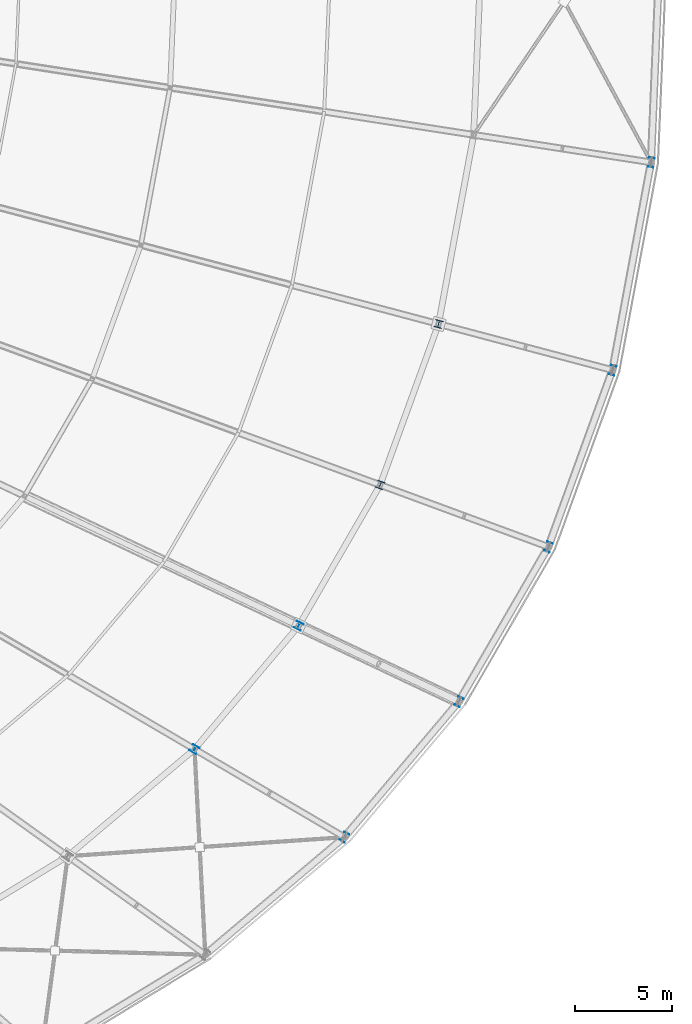
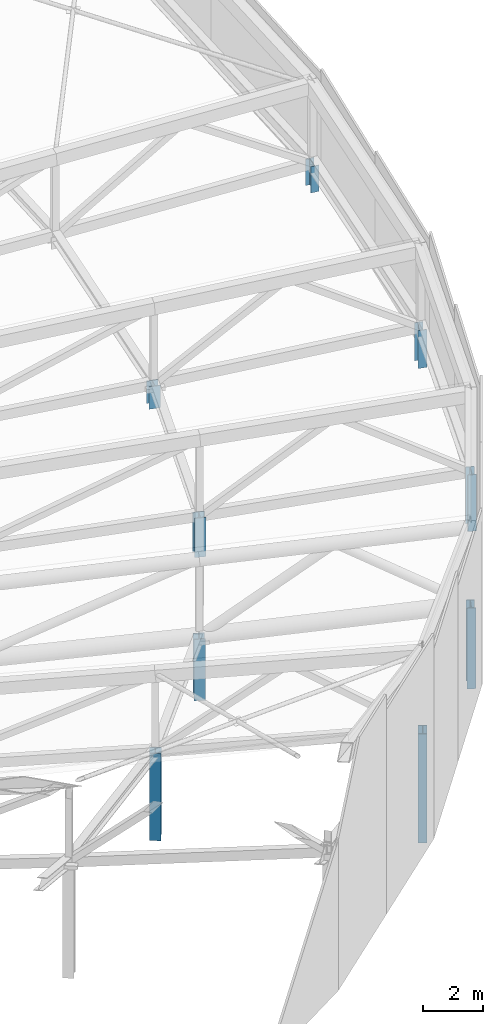
# One storey, part 8 of 143: 9 columns.
"""IFC4 building model written with IfcOpenShell, lengths in metres."""

from ifc_helpers import new_model, si_unit, direction, frame, origin, origin_2d, place, context, subcontext, project, spatial, i_section, extrude, material, material_profile, profile_set, type_object, element, save


model = new_model("IFC4")

# Units and contexts
model_context = context("Model", 3, precision=1e-05, world=origin(), true_north=direction((0.0, 1.0)))
body_context = subcontext(model_context, "Body", "Model", "MODEL_VIEW")
ifc_project = project(units=[si_unit("LENGTHUNIT", "METRE"), si_unit("AREAUNIT", "SQUARE_METRE"), si_unit("VOLUMEUNIT", "CUBIC_METRE"), si_unit("PLANEANGLEUNIT", "RADIAN"), si_unit("MASSUNIT", "GRAM", prefix="KILO")], contexts=[model_context])

# Site, building, storey
site_placement = place(None, origin())
site = spatial("IfcSite", under=ifc_project, at=site_placement, CompositionType="ELEMENT")
building_placement = place(site_placement, origin())
building = spatial("IfcBuilding", under=site, at=building_placement, Name="Mphavela Belvedere Stadium", CompositionType="ELEMENT")
storey_placement = place(building_placement, frame((0.0, 0.0, 28.800048828125)))
storey = spatial("IfcBuildingStorey", under=building, at=storey_placement, Name="RF", CompositionType="ELEMENT", Elevation=28.800048828125)

# Columns
ifc_material_1 = material(Name="Steel S355", Category="steel")
ifc_material_profile_1 = material_profile(ifc_material_1, i_section(OverallWidth=0.39501953125, OverallDepth=0.3798828125, WebThickness=0.0166015625, FlangeThickness=0.02587890625, at=origin_2d()), Name="HD 400x237")
ifc_profile_set_1 = profile_set([ifc_material_profile_1], Name="Steel S355")
column_type_1 = type_object("IfcColumnType", Name="COL-STEEL-HD400", PredefinedType="COLUMN", material=ifc_profile_set_1)
column_1_placement = place(storey_placement, frame((193.600341796875, 40.88623046875, 0.0), z_axis=(0.0, 0.0, 1.0), x_axis=(0.862513669207, -0.506033764121, 0.0)))
element("IfcColumn", 1, at=column_1_placement, inside=storey, type_object=column_type_1, Name="Roof truss inner support column RF R3-44", PredefinedType="COLUMN", context=body_context, shape_type="SweptSolid", body=[
    extrude(i_section(OverallWidth=0.39501953125, OverallDepth=0.3798828125, WebThickness=0.0166015625, FlangeThickness=0.02587890625, at=origin_2d()), origin(), (0.0, 0.0, 1.0), 3.5703125),
])
column_2_placement = place(storey_placement, frame((198.9755859375, 47.251708984375, 0.0), z_axis=(0.0, 0.0, 1.0), x_axis=(0.903858661687, -0.4278311813, 0.0)))
element("IfcColumn", 2, at=column_2_placement, inside=storey, type_object=column_type_1, Name="Roof truss inner support column RF R3-45", PredefinedType="COLUMN", context=body_context, shape_type="SweptSolid", body=[
    extrude(i_section(OverallWidth=0.39501953125, OverallDepth=0.3798828125, WebThickness=0.0166015625, FlangeThickness=0.02587890625, at=origin_2d()), origin(), (0.0, 0.0, 1.0), 2.516357421875),
])
column_3_placement = place(storey_placement, frame((203.175537109375, 54.515625, 0.0), z_axis=(0.0, 0.0, 1.0), x_axis=(0.938372433776, -0.34562577382, 0.0)))
element("IfcColumn", 3, at=column_3_placement, inside=storey, type_object=column_type_1, Name="Roof truss inner support column RF R3-46", PredefinedType="COLUMN", context=body_context, shape_type="SweptSolid", body=[
    extrude(i_section(OverallWidth=0.39501953125, OverallDepth=0.3798828125, WebThickness=0.0166015625, FlangeThickness=0.02587890625, at=origin_2d()), origin(), (0.0, 0.0, 1.0), 1.611328125),
])
column_4_placement = place(storey_placement, frame((206.1875, 62.818115234375, 0.0), z_axis=(0.0, 0.0, 1.0), x_axis=(0.966600102017, -0.256289373133, 0.0)))
element("IfcColumn", 4, at=column_4_placement, inside=storey, type_object=column_type_1, Name="Roof truss inner support column RF R3-47", PredefinedType="COLUMN", context=body_context, shape_type="SweptSolid", body=[
    extrude(i_section(OverallWidth=0.39501953125, OverallDepth=0.3798828125, WebThickness=0.0166015625, FlangeThickness=0.02587890625, at=origin_2d()), origin(), (0.0, 0.0, 1.0), 0.916748046875),
])
ifc_material_2 = material(Name="Steel S355", Category="steel")
ifc_material_profile_2 = material_profile(ifc_material_2, i_section(OverallWidth=0.300048828125, OverallDepth=0.5, WebThickness=0.014404296875, FlangeThickness=0.028076171875, at=origin_2d()), Name="HEB 500")
ifc_profile_set_2 = profile_set([ifc_material_profile_2], Name="Steel S355")
column_type_2 = type_object("IfcColumnType", Name="COL-STEEL-HEB500", PredefinedType="COLUMN", material=ifc_profile_set_2)
column_5_placement = place(storey_placement, frame((201.33837890625, 36.346435546875, 0.0), z_axis=(0.0, 0.0, 1.0), x_axis=(0.862513669207, -0.506033764121, 0.0)))
element("IfcColumn", 5, at=column_5_placement, inside=storey, type_object=column_type_2, Name="Roof truss outer tie-down column RF R4-44", PredefinedType="COLUMN", context=body_context, shape_type="SweptSolid", body=[
    extrude(i_section(OverallWidth=0.300048828125, OverallDepth=0.5, WebThickness=0.014404296875, FlangeThickness=0.028076171875, at=origin_2d()), origin(), (0.0, 0.0, 1.0), 4.46875),
])
column_6_placement = place(storey_placement, frame((207.242431640625, 43.33837890625, 0.0), z_axis=(0.0, 0.0, 1.0), x_axis=(0.903858661687, -0.4278311813, 0.0)))
element("IfcColumn", 6, at=column_6_placement, inside=storey, type_object=column_type_2, Name="Roof truss outer tie-down column RF R4-45", PredefinedType="COLUMN", context=body_context, shape_type="SweptSolid", body=[
    extrude(i_section(OverallWidth=0.300048828125, OverallDepth=0.5, WebThickness=0.014404296875, FlangeThickness=0.028076171875, at=origin_2d()), origin(), (0.0, 0.0, 1.0), 3.31103515625),
])
column_7_placement = place(storey_placement, frame((211.856201171875, 51.317626953125, 0.0), z_axis=(0.0, 0.0, 1.0), x_axis=(0.938372433776, -0.34562577382, 0.0)))
element("IfcColumn", 7, at=column_7_placement, inside=storey, type_object=column_type_2, Name="Roof truss outer tie-down column RF R4-46", PredefinedType="COLUMN", context=body_context, shape_type="SweptSolid", body=[
    extrude(i_section(OverallWidth=0.300048828125, OverallDepth=0.5, WebThickness=0.014404296875, FlangeThickness=0.028076171875, at=origin_2d()), origin(), (0.0, 0.0, 1.0), 2.31689453125),
])
column_8_placement = place(storey_placement, frame((215.16455078125, 60.4375, 0.0), z_axis=(0.0, 0.0, 1.0), x_axis=(0.966600102017, -0.256289373133, 0.0)))
element("IfcColumn", 8, at=column_8_placement, inside=storey, type_object=column_type_2, Name="Roof truss outer tie-down column RF R4-47", PredefinedType="COLUMN", context=body_context, shape_type="SweptSolid", body=[
    extrude(i_section(OverallWidth=0.300048828125, OverallDepth=0.5, WebThickness=0.014404296875, FlangeThickness=0.028076171875, at=origin_2d()), origin(), (0.0, 0.0, 1.0), 1.553955078125),
])
column_9_placement = place(storey_placement, frame((217.155517578125, 71.155029296875, 0.0), z_axis=(0.0, 0.0, 1.0), x_axis=(0.98817491911, -0.153330783737, 0.0)))
element("IfcColumn", 9, at=column_9_placement, inside=storey, type_object=column_type_2, Name="Roof truss outer tie-down column RF R4-48", PredefinedType="COLUMN", context=body_context, shape_type="SweptSolid", body=[
    extrude(i_section(OverallWidth=0.300048828125, OverallDepth=0.5, WebThickness=0.014404296875, FlangeThickness=0.028076171875, at=origin_2d()), origin(), (0.0, 0.0, 1.0), 1.074462890625),
])

save(model, "model.ifc")
